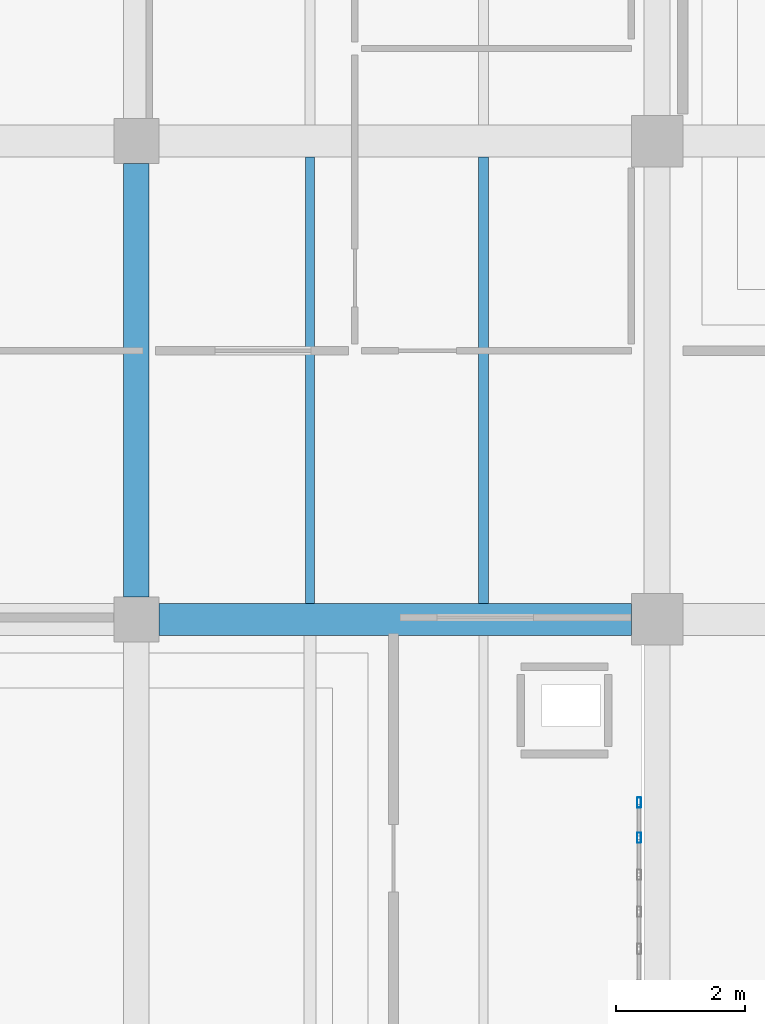
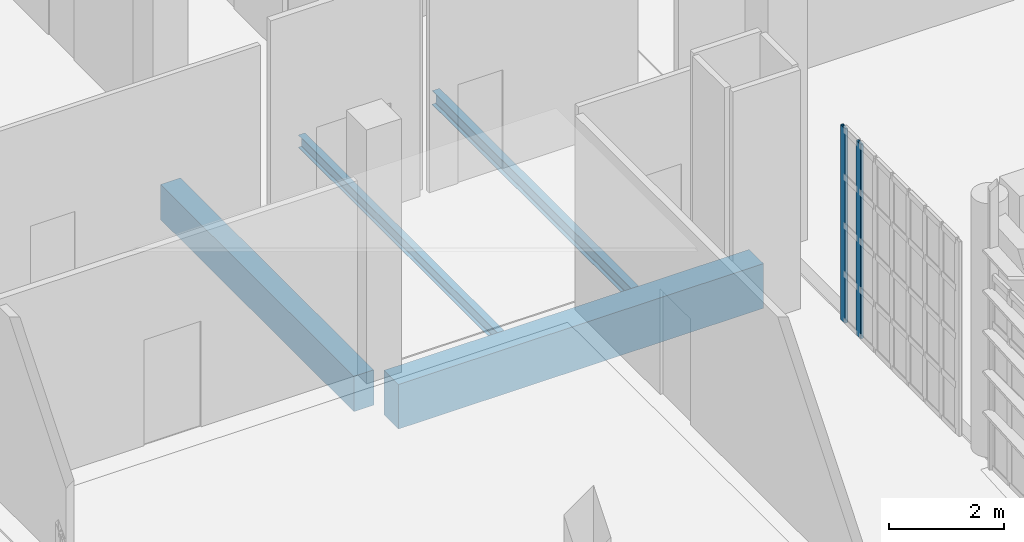
# One storey, part 240 of 372: 4 beams, 2 members, 1 element without a shape of its own.
"""IFC4 building model written with IfcOpenShell, lengths in metres."""

from ifc_helpers import new_model, si_unit, direction, frame, origin, origin_2d, place, context, subcontext, project, spatial, rectangle, hollow_rectangle, i_section, extrude, material, material_profile, profile_set, type_object, element, aggregate, save


model = new_model("IFC4")

# Units and contexts
model_context = context("Model", 3, precision=1e-05, world=origin(), true_north=direction((0.0, 1.0)))
body_context = subcontext(model_context, "Body", "Model", "MODEL_VIEW")
ifc_project = project(units=[si_unit("LENGTHUNIT", "METRE"), si_unit("AREAUNIT", "SQUARE_METRE"), si_unit("VOLUMEUNIT", "CUBIC_METRE"), si_unit("PLANEANGLEUNIT", "RADIAN"), si_unit("MASSUNIT", "GRAM", prefix="KILO")], contexts=[model_context])

# Site, building, storey
site_placement = place(None, origin())
site = spatial("IfcSite", under=ifc_project, at=site_placement, CompositionType="ELEMENT")
building_placement = place(site_placement, origin())
building = spatial("IfcBuilding", under=site, at=building_placement, Name="Kaelora Sail Theatre", CompositionType="ELEMENT")
storey_placement = place(building_placement, origin())
storey = spatial("IfcBuildingStorey", under=building, at=storey_placement, Name="L00", CompositionType="ELEMENT", Elevation=0.0)

# Curtain wall, members
ifc_material_1 = material(Name="Anodised aluminium and solar-control low-E IGU", Category="aluminium")
curtain_wall_type = type_object("IfcCurtainWallType", Name="ARC-CW-CW-FOY2", PredefinedType="NOTDEFINED", material=ifc_material_1)
curtain_wall_placement = place(storey_placement, origin())
curtain_wall = element("IfcCurtainWall", 1, at=curtain_wall_placement, inside=storey, type_object=curtain_wall_type, Name="East Interstitial Foyer East Glazed Return L00-04", PredefinedType="NOTDEFINED")
ifc_material_2 = material(Name="Anodised aluminium 6063-T6", Category="aluminium")
ifc_material_profile_1 = material_profile(ifc_material_2, hollow_rectangle(XDim=0.06005859375, YDim=0.159912109375, WallThickness=0.00390625, InnerFilletRadius=0.00390625, OuterFilletRadius=0.008056640625, at=origin_2d()), Name="ALU-MULL 60x160x4")
ifc_profile_set_1 = profile_set([ifc_material_profile_1], Name="Anodised aluminium 6063-T6")
member_type = type_object("IfcMemberType", Name="ARC-MEM-ML-160", PredefinedType="MULLION", material=ifc_profile_set_1)
member_1_placement = place(storey_placement, frame((122.719970703125, 57.62353515625, 0.0), z_axis=(0.0, 0.0, 1.0), x_axis=(-1.0, 0.0, 0.0)))
member_1 = element("IfcMember", 2, at=member_1_placement, type_object=member_type, Name="CW-FOY2 mullion 7", PredefinedType="MULLION", context=body_context, shape_type="SweptSolid", body=[
    extrude(hollow_rectangle(XDim=0.06005859375, YDim=0.159912109375, WallThickness=0.00390625, InnerFilletRadius=0.00390625, OuterFilletRadius=0.008056640625, at=origin_2d()), origin(), (0.0, 0.0, 1.0), 4.136962890625),
])
member_2_placement = place(storey_placement, frame((122.719970703125, 58.169921875, 0.0), z_axis=(0.0, 0.0, 1.0), x_axis=(-1.0, 0.0, 0.0)))
member_2 = element("IfcMember", 3, at=member_2_placement, type_object=member_type, Name="CW-FOY2 mullion 8", PredefinedType="MULLION", context=body_context, shape_type="SweptSolid", body=[
    extrude(hollow_rectangle(XDim=0.06005859375, YDim=0.159912109375, WallThickness=0.00390625, InnerFilletRadius=0.00390625, OuterFilletRadius=0.008056640625, at=origin_2d()), origin(), (0.0, 0.0, 1.0), 4.136962890625),
])
aggregate(curtain_wall, [member_1, member_2])

# Beams
ifc_material_3 = material(Name="Concrete C40/50", Category="concrete")
ifc_material_profile_2 = material_profile(ifc_material_3, rectangle(XDim=0.39990234375, YDim=0.75, at=origin_2d()), Name="RC-BM 400x750")
ifc_profile_set_2 = profile_set([ifc_material_profile_2], Name="Concrete C40/50")
beam_type_1 = type_object("IfcBeamType", Name="STR-BM-BM-RC4075", PredefinedType="BEAM", material=ifc_profile_set_2)
beam_1_placement = place(storey_placement, frame((114.89990234375, 61.3701171875, -0.695068359375), z_axis=(0.0, 1.0, 0.0), x_axis=(-1.0, 0.0, 0.0)))
element("IfcBeam", 4, at=beam_1_placement, inside=storey, type_object=beam_type_1, Name="Primary beam 15 I-J (L00)", PredefinedType="BEAM", context=body_context, shape_type="SweptSolid", body=[
    extrude(rectangle(XDim=0.39990234375, YDim=0.75, at=origin_2d()), origin(), (0.0, 0.0, 1.0), 6.739990234375),
])
ifc_material_4 = material(Name="Concrete C45/55", Category="concrete")
ifc_material_profile_3 = material_profile(ifc_material_4, rectangle(XDim=0.5, YDim=0.949951171875, at=origin_2d()), Name="RC-GRD 500x950")
ifc_profile_set_3 = profile_set([ifc_material_profile_3], Name="Concrete C45/55")
beam_type_2 = type_object("IfcBeamType", Name="STR-BM-GR-RC5095", PredefinedType="T_BEAM", material=ifc_profile_set_3)
beam_2_placement = place(storey_placement, frame((115.25, 61.02001953125, -0.794921875), z_axis=(1.0, 0.0, 0.0), x_axis=(0.0, 1.0, 0.0)))
element("IfcBeam", 5, at=beam_2_placement, inside=storey, type_object=beam_type_2, Name="Primary beam I 15-16 (L00)", PredefinedType="T_BEAM", context=body_context, shape_type="SweptSolid", body=[
    extrude(rectangle(XDim=0.5, YDim=0.949951171875, at=origin_2d()), origin(), (0.0, 0.0, 1.0), 7.35009765625),
])
ifc_material_5 = material(Name="Steel S355", Category="steel")
ifc_material_profile_4 = material_profile(ifc_material_5, i_section(OverallWidth=0.135009765625, OverallDepth=0.27001953125, WebThickness=0.006591796875, FlangeThickness=0.01025390625, FilletRadius=0.014892578125, at=origin_2d()), Name="IPE 270")
ifc_profile_set_4 = profile_set([ifc_material_profile_4], Name="Steel S355")
beam_type_3 = type_object("IfcBeamType", Name="STR-BM-JS-IPE270", PredefinedType="JOIST", material=ifc_profile_set_4)
beam_3_placement = place(storey_placement, frame((117.60009765625, 61.27001953125, -0.455078125), z_axis=(0.0, 1.0, 0.0), x_axis=(-1.0, 0.0, 0.0)))
element("IfcBeam", 6, at=beam_3_placement, inside=storey, type_object=beam_type_3, Name="Secondary floor joist 15/I-1 (L00)", PredefinedType="JOIST", context=body_context, shape_type="SweptSolid", body=[
    extrude(i_section(OverallWidth=0.135009765625, OverallDepth=0.27001953125, WebThickness=0.006591796875, FlangeThickness=0.01025390625, FilletRadius=0.014892578125, at=origin_2d()), origin(), (0.0, 0.0, 1.0), 6.93994140625),
])
ifc_material_6 = material(Name="Steel S355", Category="steel")
ifc_material_profile_5 = material_profile(ifc_material_6, i_section(OverallWidth=0.14990234375, OverallDepth=0.300048828125, WebThickness=0.007080078125, FlangeThickness=0.0107421875, FilletRadius=0.014892578125, at=origin_2d()), Name="IPE 300")
ifc_profile_set_5 = profile_set([ifc_material_profile_5], Name="Steel S355")
beam_type_4 = type_object("IfcBeamType", Name="STR-BM-JS-IPE300", PredefinedType="JOIST", material=ifc_profile_set_5)
beam_4_placement = place(storey_placement, frame((120.300048828125, 61.27001953125, -0.469970703125), z_axis=(0.0, 1.0, 0.0), x_axis=(-1.0, 0.0, 0.0)))
element("IfcBeam", 7, at=beam_4_placement, inside=storey, type_object=beam_type_4, Name="Secondary floor joist 15/I-2 (L00)", PredefinedType="JOIST", context=body_context, shape_type="SweptSolid", body=[
    extrude(i_section(OverallWidth=0.14990234375, OverallDepth=0.300048828125, WebThickness=0.007080078125, FlangeThickness=0.0107421875, FilletRadius=0.014892578125, at=origin_2d()), origin(), (0.0, 0.0, 1.0), 6.93994140625),
])

save(model, "model.ifc")
